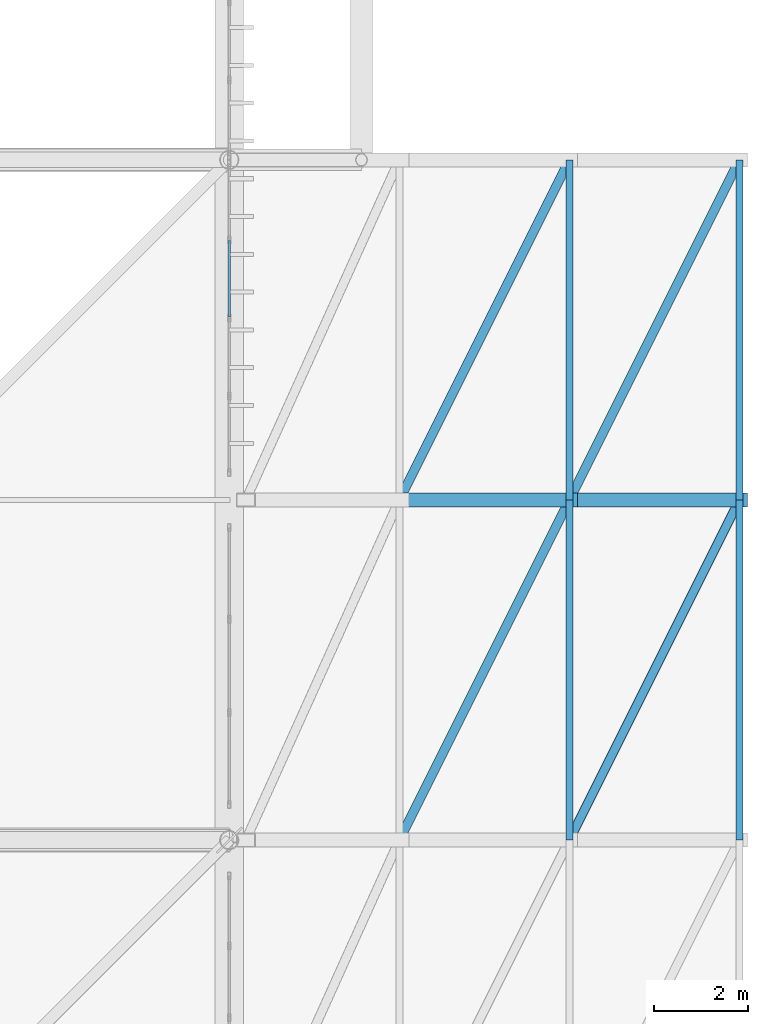
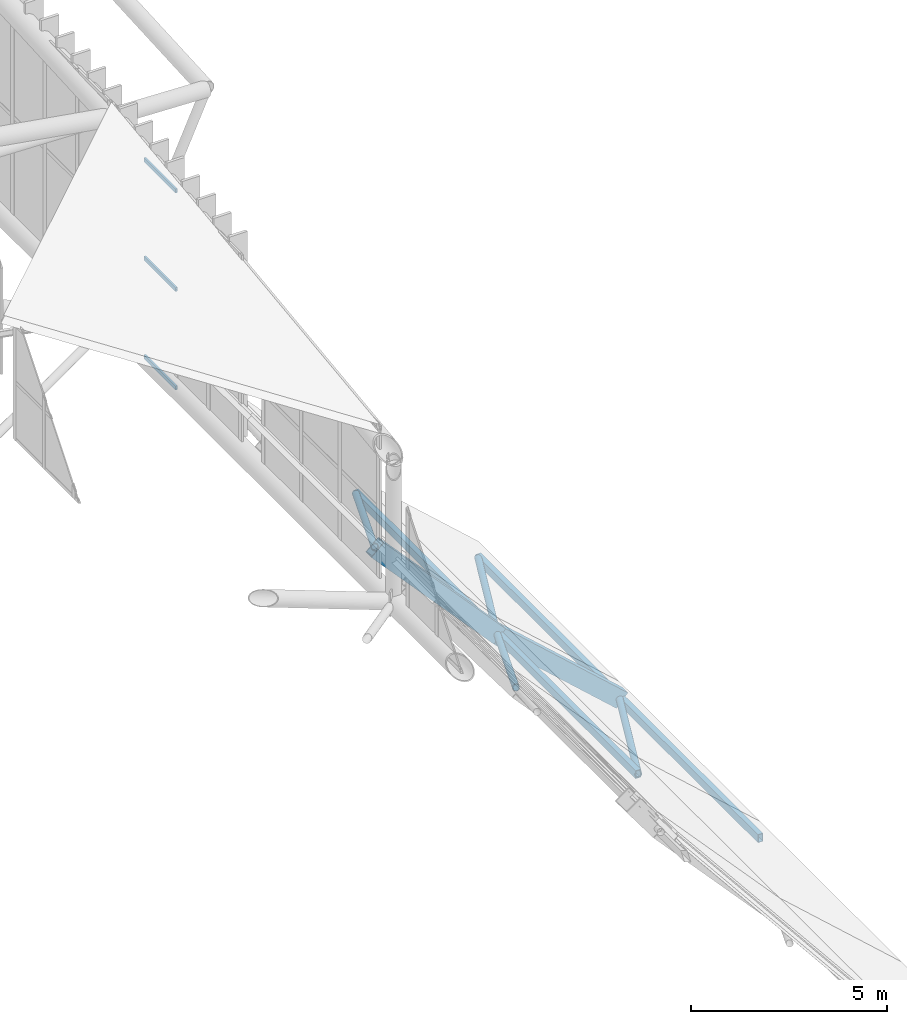
# One storey, part 154 of 397: 11 members, 2 beams, 1 element without a shape of its own.
"""IFC4 building model written with IfcOpenShell, lengths in metres."""

from ifc_helpers import new_model, si_unit, direction, frame, origin, origin_2d, place, context, subcontext, project, spatial, hollow_rectangle, hollow_circle, extrude, material, material_profile, profile_set, type_object, element, aggregate, save


model = new_model("IFC4")

# Units and contexts
model_context = context("Model", 3, precision=1e-05, world=origin(), true_north=direction((0.0, 1.0)))
body_context = subcontext(model_context, "Body", "Model", "MODEL_VIEW")
ifc_project = project(units=[si_unit("LENGTHUNIT", "METRE"), si_unit("AREAUNIT", "SQUARE_METRE"), si_unit("VOLUMEUNIT", "CUBIC_METRE"), si_unit("PLANEANGLEUNIT", "RADIAN"), si_unit("MASSUNIT", "GRAM", prefix="KILO")], contexts=[model_context])

# Site, building, storey
site_placement = place(None, origin())
site = spatial("IfcSite", under=ifc_project, at=site_placement, CompositionType="ELEMENT")
building_placement = place(site_placement, origin())
building = spatial("IfcBuilding", under=site, at=building_placement, Name="Qandorah Velis Arena", CompositionType="ELEMENT")
storey_placement = place(building_placement, frame((0.0, 0.0, 27.5)))
storey = spatial("IfcBuildingStorey", under=building, at=storey_placement, Name="RF", CompositionType="ELEMENT", Elevation=27.5)

# Curtain wall, members
ifc_material_1 = material(Name="Solar-control low-E double glazing", Category="glass")
curtain_wall_type = type_object("IfcCurtainWallType", Name="ARC-CW-SYS11", PredefinedType="USERDEFINED", material=ifc_material_1)
curtain_wall_placement = place(storey_placement, origin())
curtain_wall = element("IfcCurtainWall", 1, at=curtain_wall_placement, inside=storey, type_object=curtain_wall_type, Name="Unitised curtain wall CROWN-2-03S1", ObjectType="UNITISED CURTAIN WALL", PredefinedType="USERDEFINED")
ifc_material_2 = material(Name="Champagne-bronze anodized aluminium 6063-T6", Category="aluminium")
ifc_material_profile_1 = material_profile(ifc_material_2, hollow_rectangle(XDim=0.06005859375, YDim=0.1201171875, WallThickness=0.0029296875, at=origin_2d()), Name="ALU TRANSOM 60x120")
ifc_profile_set_1 = profile_set([ifc_material_profile_1], Name="Champagne-bronze anodized aluminium 6063-T6")
member_type_1 = type_object("IfcMemberType", Name="ARC-CWT-120", PredefinedType="USERDEFINED", material=ifc_profile_set_1)
member_1_placement = place(storey_placement, frame((115.199951171875, 39.873046875, 0.030029296875), z_axis=(0.0, 1.0, 0.0), x_axis=(-1.0, 0.0, 0.0)))
member_1 = element("IfcMember", 2, at=member_1_placement, type_object=member_type_1, Name="CW11 transom 3.1", ObjectType="TRANSOM", PredefinedType="USERDEFINED", context=body_context, shape_type="SweptSolid", body=[
    extrude(hollow_rectangle(XDim=0.06005859375, YDim=0.1201171875, WallThickness=0.0029296875, at=origin_2d()), origin(), (0.0, 0.0, 1.0), 1.616455078125),
])
member_2_placement = place(storey_placement, frame((115.199951171875, 39.873046875, 3.0966796875), z_axis=(0.0, 1.0, 0.0), x_axis=(-1.0, 0.0, 0.0)))
member_2 = element("IfcMember", 3, at=member_2_placement, type_object=member_type_1, Name="CW11 transom 3.2", ObjectType="TRANSOM", PredefinedType="USERDEFINED", context=body_context, shape_type="SweptSolid", body=[
    extrude(hollow_rectangle(XDim=0.06005859375, YDim=0.1201171875, WallThickness=0.0029296875, at=origin_2d()), origin(), (0.0, 0.0, 1.0), 1.616455078125),
])
member_3_placement = place(storey_placement, frame((115.199951171875, 39.873046875, 6.163330078125), z_axis=(0.0, 1.0, 0.0), x_axis=(-1.0, 0.0, 0.0)))
member_3 = element("IfcMember", 4, at=member_3_placement, type_object=member_type_1, Name="CW11 transom 3.3", ObjectType="TRANSOM", PredefinedType="USERDEFINED", context=body_context, shape_type="SweptSolid", body=[
    extrude(hollow_rectangle(XDim=0.06005859375, YDim=0.1201171875, WallThickness=0.0029296875, at=origin_2d()), origin(), (0.0, 0.0, 1.0), 1.616455078125),
])
aggregate(curtain_wall, [member_1, member_2, member_3])

# Beams
ifc_material_3 = material(Name="Steel S355", Category="steel")
ifc_material_profile_2 = material_profile(ifc_material_3, hollow_rectangle(XDim=0.300048828125, YDim=0.5, WallThickness=0.02001953125, at=origin_2d()), Name="RHS 500x300x20")
ifc_profile_set_2 = profile_set([ifc_material_profile_2], Name="Steel S355")
beam_type = type_object("IfcBeamType", Name="STR-CRB-RHS500", PredefinedType="USERDEFINED", material=ifc_profile_set_2)
beam_1_placement = place(storey_placement, frame((118.800048828125, 36.0, -3.84130859375), z_axis=(0.673388510151, 0.0, -0.739288789578), x_axis=(0.0, 1.0, 0.0)))
element("IfcBeam", 5, at=beam_1_placement, inside=storey, type_object=beam_type, Name="Sweeping canopy rib CRB-4.02", ObjectType="ROOF TRUSS", PredefinedType="USERDEFINED", context=body_context, shape_type="SweptSolid", body=[
    extrude(hollow_rectangle(XDim=0.300048828125, YDim=0.5, WallThickness=0.02001953125, at=origin_2d()), origin(), (0.0, 0.0, 1.0), 5.345947265625),
])
beam_2_placement = place(storey_placement, frame((122.39990234375, 36.0, -7.79345703125), z_axis=(0.741976678185, 0.0, -0.6704256924), x_axis=(0.0, 1.0, 0.0)))
element("IfcBeam", 6, at=beam_2_placement, inside=storey, type_object=beam_type, Name="Sweeping canopy rib CRB-4.03", ObjectType="ROOF TRUSS", PredefinedType="USERDEFINED", context=body_context, shape_type="SweptSolid", body=[
    extrude(hollow_rectangle(XDim=0.300048828125, YDim=0.5, WallThickness=0.02001953125, at=origin_2d()), origin(), (0.0, 0.0, 1.0), 4.85205078125),
])

# Members
ifc_material_profile_3 = material_profile(ifc_material_3, hollow_rectangle(XDim=0.14990234375, YDim=0.25, WallThickness=0.010009765625, at=origin_2d()), Name="RHS 250x150x10")
ifc_profile_set_3 = profile_set([ifc_material_profile_3], Name="Steel S355")
member_type_2 = type_object("IfcMemberType", Name="STR-PRL-RHS250", PredefinedType="PURLIN", material=ifc_profile_set_3)
for number, where, z_axis, x_axis, name in (
    (7, (122.39990234375, 28.800048828125, -7.79345703125), (0.0, 1.0, 0.0), (-1.0, 0.0, 0.0), "Canopy cross purlin CPR-3.02"),
    (8, (126.0, 28.800048828125, -11.04638671875), (0.0, 1.0, 0.0), (-1.0, 0.0, 0.0), "Canopy cross purlin CPR-3.03"),
    (9, (122.39990234375, 36.0, -7.79345703125), (0.0, 1.0, 0.0), (-1.0, 0.0, 0.0), "Canopy cross purlin CPR-4.02"),
    (10, (126.0, 36.0, -11.04638671875), (0.0, 1.0, 0.0), (-1.0, 0.0, 0.0), "Canopy cross purlin CPR-4.03"),
):
    element("IfcMember", number, at=place(storey_placement, frame(where, z_axis=z_axis, x_axis=x_axis)), inside=storey, type_object=member_type_2, Name=name, PredefinedType="PURLIN", context=body_context, shape_type="SweptSolid", body=[
        extrude(hollow_rectangle(XDim=0.14990234375, YDim=0.25, WallThickness=0.010009765625, at=origin_2d()), origin(), (0.0, 0.0, 1.0), 7.199951171875),
    ])
ifc_material_profile_4 = material_profile(ifc_material_3, hollow_circle(Radius=0.096923828125, WallThickness=0.010009765625, at=origin_2d()), Name="CHS 193.7x10")
ifc_profile_set_4 = profile_set([ifc_material_profile_4], Name="Steel S355")
member_type_3 = type_object("IfcMemberType", Name="STR-SFD-CHS193X10", PredefinedType="STRUT", material=ifc_profile_set_4)
member_4_placement = place(storey_placement, frame((118.800048828125, 28.800048828125, -3.84130859375), z_axis=(0.40142919304, 0.802885610847, -0.440714532175), x_axis=(-0.894433256723, 0.447201463849, 0.0)))
element("IfcMember", 11, at=member_4_placement, inside=storey, type_object=member_type_3, Name="Canopy roof plane diagonal CDG-3.02", PredefinedType="STRUT", context=body_context, shape_type="SweptSolid", body=[
    extrude(hollow_circle(Radius=0.096923828125, WallThickness=0.010009765625, at=origin_2d()), origin(), (0.0, 0.0, 1.0), 8.967529296875),
])
member_5_placement = place(storey_placement, frame((122.39990234375, 28.800048828125, -7.79345703125), z_axis=(0.414650072351, 0.829272025208, -0.37466415055), x_axis=(-0.894421125195, 0.447225726904, 0.0)))
element("IfcMember", 12, at=member_5_placement, inside=storey, type_object=member_type_3, Name="Canopy roof plane diagonal CDG-3.03", PredefinedType="STRUT", context=body_context, shape_type="SweptSolid", body=[
    extrude(hollow_circle(Radius=0.096923828125, WallThickness=0.010009765625, at=origin_2d()), origin(), (0.0, 0.0, 1.0), 8.682373046875),
])
member_6_placement = place(storey_placement, frame((118.800048828125, 36.0, -3.84130859375), z_axis=(0.40142919304, 0.802885610847, -0.440714532175), x_axis=(-0.894433256723, 0.447201463849, 0.0)))
element("IfcMember", 13, at=member_6_placement, inside=storey, type_object=member_type_3, Name="Canopy roof plane diagonal CDG-4.02", PredefinedType="STRUT", context=body_context, shape_type="SweptSolid", body=[
    extrude(hollow_circle(Radius=0.096923828125, WallThickness=0.010009765625, at=origin_2d()), origin(), (0.0, 0.0, 1.0), 8.967529296875),
])
member_7_placement = place(storey_placement, frame((122.39990234375, 36.0, -7.79345703125), z_axis=(0.414650072351, 0.829272025208, -0.37466415055), x_axis=(-0.894421125195, 0.447225726904, 0.0)))
element("IfcMember", 14, at=member_7_placement, inside=storey, type_object=member_type_3, Name="Canopy roof plane diagonal CDG-4.03", PredefinedType="STRUT", context=body_context, shape_type="SweptSolid", body=[
    extrude(hollow_circle(Radius=0.096923828125, WallThickness=0.010009765625, at=origin_2d()), origin(), (0.0, 0.0, 1.0), 8.682373046875),
])

save(model, "model.ifc")
